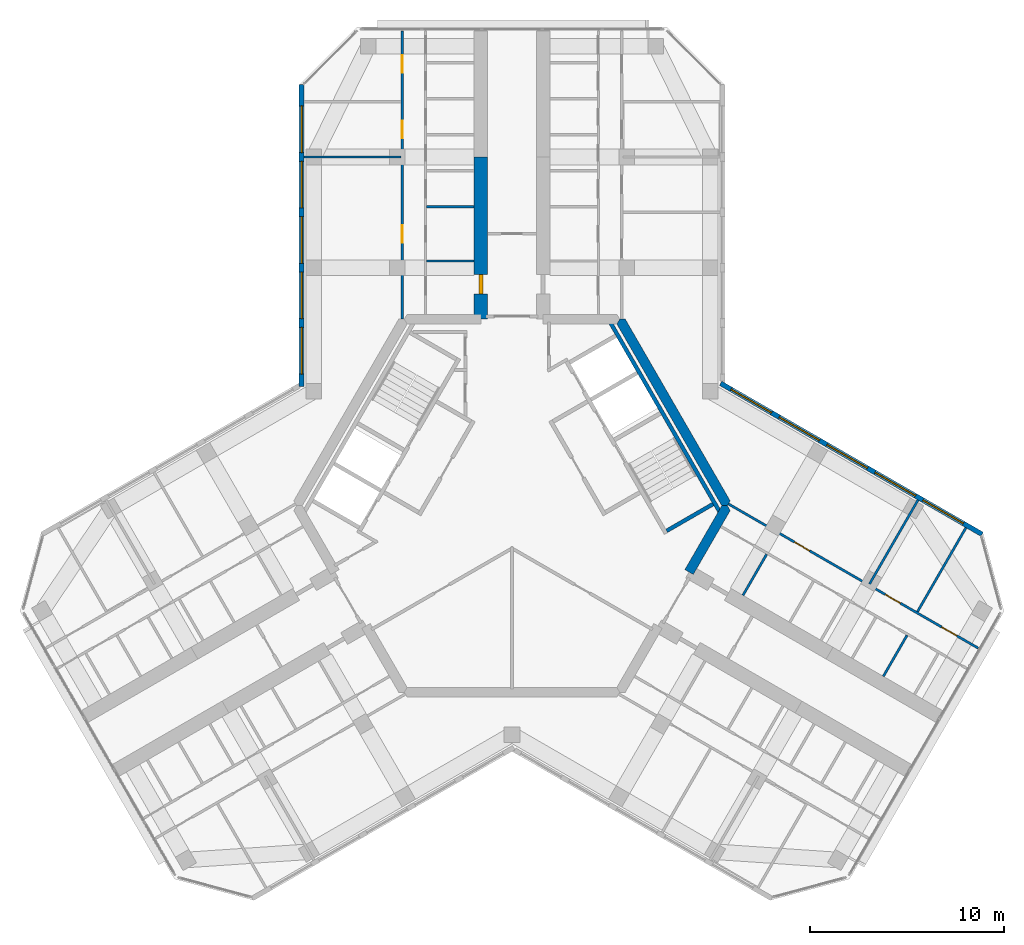
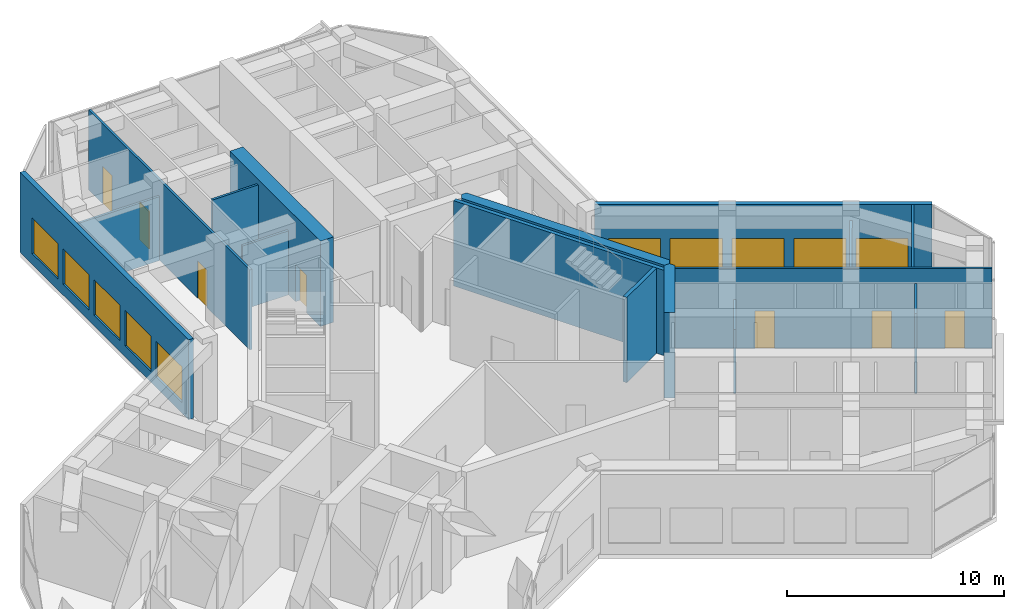
# One storey, part 11 of 14: 16 walls, 10 windows, 7 doors, 17 openings.
"""IFC4 building model written with IfcOpenShell, lengths in metres."""

from ifc_helpers import new_model, si_unit, direction, frame, frame_2d, origin, place, context, subcontext, project, spatial, polyline, rectangle, outline, extrude, material, layer, layer_set, type_object, element, fill, save


model = new_model("IFC4")

# Units and contexts
model_context = context("Model", 3, precision=1e-05, world=origin(), true_north=direction((0.0, 1.0)))
body_context = subcontext(model_context, "Body", "Model", "MODEL_VIEW")
ifc_project = project(units=[si_unit("LENGTHUNIT", "METRE"), si_unit("AREAUNIT", "SQUARE_METRE"), si_unit("VOLUMEUNIT", "CUBIC_METRE"), si_unit("PLANEANGLEUNIT", "RADIAN"), si_unit("MASSUNIT", "GRAM", prefix="KILO")], contexts=[model_context])

# Site, building, storey
site_placement = place(None, origin())
site = spatial("IfcSite", under=ifc_project, at=site_placement, CompositionType="ELEMENT")
building_placement = place(site_placement, origin())
building = spatial("IfcBuilding", under=site, at=building_placement, Name="Kosmar Iwan School Tower", CompositionType="ELEMENT")
storey_placement = place(building_placement, frame((0.0, 0.0, 296.199951171875)))
storey = spatial("IfcBuildingStorey", under=building, at=storey_placement, Name="L75", CompositionType="ELEMENT", Elevation=296.199951171875)

# Walls
ifc_material_1 = material(Name="Concrete C50/60", Category="concrete")
ifc_layer_1 = layer(ifc_material_1, 0.5)
ifc_layer_set_1 = layer_set([ifc_layer_1], Name="Core wall 500")
wall_type_1 = type_object("IfcWallType", Name="Core wall 500", PredefinedType="SHEAR", material=ifc_layer_set_1)
wall_1_placement = place(storey_placement, origin())
element("IfcWall", 1, at=wall_1_placement, inside=storey, type_object=wall_type_1, Name="Core wall F030", PredefinedType="SHEAR", context=body_context, shape_type="SweptSolid", body=[
    extrude(outline(polyline([(10.79638671875, 0.0), (11.085205078125, 0.0), (11.2294921875, 0.25), (5.831298828125, 9.60009765625), (5.54248046875, 9.60009765625), (5.398193359375, 9.35009765625), (10.79638671875, 0.0)])), origin(), (0.0, 0.0, 1.0), 4.800048828125),
])
wall_2_placement = place(storey_placement, origin())
element("IfcWall", 2, at=wall_2_placement, inside=storey, type_object=wall_type_1, Name="Core wall F330b", PredefinedType="SHEAR", context=body_context, shape_type="SweptSolid", body=[
    extrude(outline(polyline([(9.330322265625, -3.539306640625), (11.2294921875, -0.25), (11.085205078125, 0.0), (10.79638671875, 0.0), (8.897216796875, -3.289306640625), (9.330322265625, -3.539306640625)])), origin(), (0.0, 0.0, 1.0), 4.800048828125),
])

# Wall, opening, door
ifc_material_2 = material(Name="Concrete C50/60", Category="concrete")
ifc_layer_2 = layer(ifc_material_2, 0.699951171875)
ifc_layer_set_2 = layer_set([ifc_layer_2], Name="Corridor buttress wall 700")
wall_type_2 = type_object("IfcWallType", Name="Corridor buttress wall 700", PredefinedType="SHEAR", material=ifc_layer_set_2)
wall_3_placement = place(storey_placement, frame((-1.60009765625, 9.60009765625, 0.0), z_axis=(0.0, 0.0, 1.0), x_axis=(0.0, 1.0, 0.0)))
wall_3 = element("IfcWall", 3, at=wall_3_placement, inside=storey, type_object=wall_type_2, Name="Corridor wall AL", PredefinedType="SHEAR", context=body_context, shape_type="SweptSolid", body=[
    extrude(rectangle(XDim=8.349853515625, YDim=0.699951171875, at=frame_2d((4.1748046875, 0.0))), origin(), (0.0, 0.0, 1.0), 4.800048828125),
])
opening_1_placement = place(wall_3_placement, frame((1.300048828125, 0.0, 0.0)))
opening_1 = element("IfcOpeningElement", 4, at=opening_1_placement, cuts=wall_3, Name="Opening D1", PredefinedType="OPENING", context=body_context, shape_type="SweptSolid", body=[
    extrude(rectangle(XDim=1.0, YDim=2.10009765625, at=frame_2d((0.5, 1.050048828125))), frame((0.0, 0.362060546875, 0.0), z_axis=(0.0, -1.0, 0.0), x_axis=(1.0, 0.0, 0.0)), (0.0, 0.0, 1.0), 0.723876953125),
])
ifc_material_3 = material(Name="Timber fire door in steel frame", Category="steel")
door_type_1 = type_object("IfcDoorType", Name="Flat entrance door 1000x2100", OperationType="SINGLE_SWING_LEFT", PredefinedType="DOOR", material=ifc_material_3)
door_1_placement = place(opening_1_placement, origin())
door_1 = element("IfcDoor", 5, at=door_1_placement, inside=storey, type_object=door_type_1, Name="Flat L75-AL1 entrance door", OperationType="SINGLE_SWING_RIGHT", OverallHeight=2.10009765625, OverallWidth=1.0, PredefinedType="DOOR", context=body_context, shape_type="SweptSolid", body=[
    extrude(rectangle(XDim=1.0, YDim=2.10009765625, at=frame_2d((0.5, 1.050048828125))), frame((0.0, 0.10009765625, 0.0), z_axis=(0.0, -1.0, 0.0), x_axis=(1.0, 0.0, 0.0)), (0.0, 0.0, 1.0), 0.199951171875),
])
fill(opening_1, door_1)

# Wall, openings, doors
ifc_material_4 = material(Name="Gypsum board on steel studs", Category="steel")
ifc_layer_3 = layer(ifc_material_4, 0.1201171875)
ifc_layer_set_3 = layer_set([ifc_layer_3], Name="Dwelling partition 120")
wall_type_3 = type_object("IfcWallType", Name="Dwelling partition 120", PredefinedType="PARTITIONING", material=ifc_layer_set_3)
wall_4_placement = place(storey_placement, frame((-5.64990234375, 9.60009765625, 0.0), z_axis=(0.0, 0.0, 1.0), x_axis=(0.0, 1.0, 0.0)))
wall_4 = element("IfcWall", 6, at=wall_4_placement, inside=storey, type_object=wall_type_3, Name="Partition L75-AL1-W2", PredefinedType="PARTITIONING", context=body_context, shape_type="SweptSolid", body=[
    extrude(rectangle(XDim=14.844970703125, YDim=0.1201171875, at=frame_2d((7.42236328125, 0.0))), origin(), (0.0, 0.0, 1.0), 4.5),
])
opening_2_placement = place(wall_4_placement, frame((3.925048828125, 0.0, 0.0)))
opening_2 = element("IfcOpeningElement", 7, at=opening_2_placement, cuts=wall_4, Name="Opening D2", PredefinedType="OPENING", context=body_context, shape_type="SweptSolid", body=[
    extrude(rectangle(XDim=0.89990234375, YDim=2.10009765625, at=frame_2d((0.449951171875, 1.050048828125))), frame((0.0, 0.072021484375, 0.0), z_axis=(0.0, -1.0, 0.0), x_axis=(1.0, 0.0, 0.0)), (0.0, 0.0, 1.0), 0.14404296875),
])
opening_3_placement = place(wall_4_placement, frame((9.324951171875, 0.0, 0.0)))
opening_3 = element("IfcOpeningElement", 8, at=opening_3_placement, cuts=wall_4, Name="Opening D2", PredefinedType="OPENING", context=body_context, shape_type="SweptSolid", body=[
    extrude(rectangle(XDim=0.89990234375, YDim=2.10009765625, at=frame_2d((0.449951171875, 1.050048828125))), frame((0.0, 0.072021484375, 0.0), z_axis=(0.0, -1.0, 0.0), x_axis=(1.0, 0.0, 0.0)), (0.0, 0.0, 1.0), 0.14404296875),
])
opening_4_placement = place(wall_4_placement, frame((12.675048828125, 0.0, 0.0)))
opening_4 = element("IfcOpeningElement", 9, at=opening_4_placement, cuts=wall_4, Name="Opening D2", PredefinedType="OPENING", context=body_context, shape_type="SweptSolid", body=[
    extrude(rectangle(XDim=0.89990234375, YDim=2.10009765625, at=frame_2d((0.449951171875, 1.050048828125))), frame((0.0, 0.072021484375, 0.0), z_axis=(0.0, -1.0, 0.0), x_axis=(1.0, 0.0, 0.0)), (0.0, 0.0, 1.0), 0.14404296875),
])
ifc_material_5 = material(Name="Timber door in timber frame", Category="wood")
door_type_2 = type_object("IfcDoorType", Name="Internal door 900x2100", OperationType="SINGLE_SWING_LEFT", PredefinedType="DOOR", material=ifc_material_5)
door_2_placement = place(opening_2_placement, origin())
door_2 = element("IfcDoor", 10, at=door_2_placement, inside=storey, type_object=door_type_2, Name="Living room door L75-AL1-F1", OperationType="SINGLE_SWING_RIGHT", OverallHeight=2.10009765625, OverallWidth=0.89990234375, PredefinedType="DOOR", context=body_context, shape_type="SweptSolid", body=[
    extrude(rectangle(XDim=0.89990234375, YDim=2.10009765625, at=frame_2d((0.449951171875, 1.050048828125))), frame((0.0, 0.02490234375, 0.0), z_axis=(0.0, -1.0, 0.0), x_axis=(1.0, 0.0, 0.0)), (0.0, 0.0, 1.0), 0.050048828125),
])
fill(opening_2, door_2)
door_3_placement = place(opening_3_placement, origin())
door_3 = element("IfcDoor", 11, at=door_3_placement, inside=storey, type_object=door_type_2, Name="Dining room door L75-AL1-F2", OperationType="SINGLE_SWING_LEFT", OverallHeight=2.10009765625, OverallWidth=0.89990234375, PredefinedType="DOOR", context=body_context, shape_type="SweptSolid", body=[
    extrude(rectangle(XDim=0.89990234375, YDim=2.10009765625, at=frame_2d((0.449951171875, 1.050048828125))), frame((0.0, 0.02490234375, 0.0), z_axis=(0.0, -1.0, 0.0), x_axis=(1.0, 0.0, 0.0)), (0.0, 0.0, 1.0), 0.050048828125),
])
fill(opening_3, door_3)
door_4_placement = place(opening_4_placement, origin())
door_4 = element("IfcDoor", 12, at=door_4_placement, inside=storey, type_object=door_type_2, Name="Bedroom 1 door L75-AL1-F3", OperationType="SINGLE_SWING_RIGHT", OverallHeight=2.10009765625, OverallWidth=0.89990234375, PredefinedType="DOOR", context=body_context, shape_type="SweptSolid", body=[
    extrude(rectangle(XDim=0.89990234375, YDim=2.10009765625, at=frame_2d((0.449951171875, 1.050048828125))), frame((0.0, 0.02490234375, 0.0), z_axis=(0.0, -1.0, 0.0), x_axis=(1.0, 0.0, 0.0)), (0.0, 0.0, 1.0), 0.050048828125),
])
fill(opening_4, door_4)

# Walls
wall_5_placement = place(storey_placement, frame((-5.7099609375, 17.949951171875, 0.0), z_axis=(0.0, 0.0, 1.0), x_axis=(-1.0, 0.0, 0.0)))
element("IfcWall", 13, at=wall_5_placement, inside=storey, type_object=wall_type_3, Name="Partition L75-AL1-X1", PredefinedType="PARTITIONING", context=body_context, shape_type="SweptSolid", body=[
    extrude(rectangle(XDim=4.989990234375, YDim=0.1201171875, at=frame_2d((2.4951171875, 0.0))), origin(), (0.0, 0.0, 1.0), 3.60009765625),
])
wall_6_placement = place(storey_placement, frame((-1.949951171875, 12.60009765625, 0.0), z_axis=(0.0, 0.0, 1.0), x_axis=(-1.0, 0.0, 0.0)))
element("IfcWall", 14, at=wall_6_placement, inside=storey, type_object=wall_type_3, Name="Partition L75-AL1-Y1", PredefinedType="PARTITIONING", context=body_context, shape_type="SweptSolid", body=[
    extrude(rectangle(XDim=2.43994140625, YDim=0.1201171875, at=frame_2d((1.219970703125, 0.0))), origin(), (0.0, 0.0, 1.0), 3.60009765625),
])
wall_7_placement = place(storey_placement, frame((-1.949951171875, 15.380859375, 0.0), z_axis=(0.0, 0.0, 1.0), x_axis=(-1.0, 0.0, 0.0)))
element("IfcWall", 15, at=wall_7_placement, inside=storey, type_object=wall_type_3, Name="Partition L75-AL1-Y2", PredefinedType="PARTITIONING", context=body_context, shape_type="SweptSolid", body=[
    extrude(rectangle(XDim=2.43994140625, YDim=0.1201171875, at=frame_2d((1.219970703125, 0.0))), origin(), (0.0, 0.0, 1.0), 4.5),
])

# Wall, openings, doors
wall_8_placement = place(storey_placement, frame((11.138916015625, 0.093017578125, 0.0), z_axis=(0.0, 0.0, 1.0), x_axis=(0.866030301974, -0.499991515992, 0.0)))
wall_8 = element("IfcWall", 16, at=wall_8_placement, inside=storey, type_object=wall_type_3, Name="Partition L75-CL1-W2", PredefinedType="PARTITIONING", context=body_context, shape_type="SweptSolid", body=[
    extrude(rectangle(XDim=14.844970703125, YDim=0.1201171875, at=frame_2d((7.42236328125, 0.0))), origin(), (0.0, 0.0, 1.0), 4.5),
])
opening_5_placement = place(wall_8_placement, frame((3.925048828125, 0.0, 0.0)))
opening_5 = element("IfcOpeningElement", 17, at=opening_5_placement, cuts=wall_8, Name="Opening D2", PredefinedType="OPENING", context=body_context, shape_type="SweptSolid", body=[
    extrude(rectangle(XDim=0.89990234375, YDim=2.10009765625, at=frame_2d((0.449951171875, 1.050048828125))), frame((0.0, 0.072021484375, 0.0), z_axis=(0.0, -1.0, 0.0), x_axis=(1.0, 0.0, 0.0)), (0.0, 0.0, 1.0), 0.14404296875),
])
opening_6_placement = place(wall_8_placement, frame((9.324951171875, 0.0, 0.0)))
opening_6 = element("IfcOpeningElement", 18, at=opening_6_placement, cuts=wall_8, Name="Opening D2", PredefinedType="OPENING", context=body_context, shape_type="SweptSolid", body=[
    extrude(rectangle(XDim=0.89990234375, YDim=2.10009765625, at=frame_2d((0.449951171875, 1.050048828125))), frame((0.0, 0.072021484375, 0.0), z_axis=(0.0, -1.0, 0.0), x_axis=(1.0, 0.0, 0.0)), (0.0, 0.0, 1.0), 0.14404296875),
])
opening_7_placement = place(wall_8_placement, frame((12.675048828125, 0.0, 0.0)))
opening_7 = element("IfcOpeningElement", 19, at=opening_7_placement, cuts=wall_8, Name="Opening D2", PredefinedType="OPENING", context=body_context, shape_type="SweptSolid", body=[
    extrude(rectangle(XDim=0.89990234375, YDim=2.10009765625, at=frame_2d((0.449951171875, 1.050048828125))), frame((0.0, 0.072021484375, 0.0), z_axis=(0.0, -1.0, 0.0), x_axis=(1.0, 0.0, 0.0)), (0.0, 0.0, 1.0), 0.14404296875),
])
door_5_placement = place(opening_5_placement, origin())
door_5 = element("IfcDoor", 20, at=door_5_placement, inside=storey, type_object=door_type_2, Name="Living room door L75-CL1-F1", OperationType="SINGLE_SWING_LEFT", OverallHeight=2.10009765625, OverallWidth=0.89990234375, PredefinedType="DOOR", context=body_context, shape_type="SweptSolid", body=[
    extrude(rectangle(XDim=0.89990234375, YDim=2.10009765625, at=frame_2d((0.449951171875, 1.050048828125))), frame((0.0, 0.02490234375, 0.0), z_axis=(0.0, -1.0, 0.0), x_axis=(1.0, 0.0, 0.0)), (0.0, 0.0, 1.0), 0.050048828125),
])
fill(opening_5, door_5)
door_6_placement = place(opening_6_placement, origin())
door_6 = element("IfcDoor", 21, at=door_6_placement, inside=storey, type_object=door_type_2, Name="Dining room door L75-CL1-F2", OperationType="SINGLE_SWING_RIGHT", OverallHeight=2.10009765625, OverallWidth=0.89990234375, PredefinedType="DOOR", context=body_context, shape_type="SweptSolid", body=[
    extrude(rectangle(XDim=0.89990234375, YDim=2.10009765625, at=frame_2d((0.449951171875, 1.050048828125))), frame((0.0, 0.02490234375, 0.0), z_axis=(0.0, -1.0, 0.0), x_axis=(1.0, 0.0, 0.0)), (0.0, 0.0, 1.0), 0.050048828125),
])
fill(opening_6, door_6)
door_7_placement = place(opening_7_placement, origin())
door_7 = element("IfcDoor", 22, at=door_7_placement, inside=storey, type_object=door_type_2, Name="Bedroom 1 door L75-CL1-F3", OperationType="SINGLE_SWING_RIGHT", OverallHeight=2.10009765625, OverallWidth=0.89990234375, PredefinedType="DOOR", context=body_context, shape_type="SweptSolid", body=[
    extrude(rectangle(XDim=0.89990234375, YDim=2.10009765625, at=frame_2d((0.449951171875, 1.050048828125))), frame((0.0, 0.02490234375, 0.0), z_axis=(0.0, -1.0, 0.0), x_axis=(1.0, 0.0, 0.0)), (0.0, 0.0, 1.0), 0.050048828125),
])
fill(opening_7, door_7)

# Walls
wall_9_placement = place(storey_placement, frame((18.400146484375, -4.030029296875, 0.0), z_axis=(0.0, 0.0, 1.0), x_axis=(0.500011847778, 0.866018563358, 0.0)))
element("IfcWall", 23, at=wall_9_placement, inside=storey, type_object=wall_type_3, Name="Partition L75-CL1-X1", PredefinedType="PARTITIONING", context=body_context, shape_type="SweptSolid", body=[
    extrude(rectangle(XDim=4.990234375, YDim=0.1201171875, at=frame_2d((2.4951171875, 0.0))), origin(), (0.0, 0.0, 1.0), 3.60009765625),
])
wall_10_placement = place(storey_placement, frame((20.868408203125, -5.455078125, 0.0), z_axis=(0.0, 0.0, 1.0), x_axis=(0.499975153383, 0.86603974851, 0.0)))
element("IfcWall", 24, at=wall_10_placement, inside=storey, type_object=wall_type_3, Name="Partition L75-CL1-X2", PredefinedType="PARTITIONING", context=body_context, shape_type="SweptSolid", body=[
    extrude(rectangle(XDim=4.989990234375, YDim=0.1201171875, at=frame_2d((2.4951171875, 0.0))), origin(), (0.0, 0.0, 1.0), 4.5),
])
wall_11_placement = place(storey_placement, frame((11.886962890625, -4.611328125, 0.0), z_axis=(0.0, 0.0, 1.0), x_axis=(0.499959183527, 0.866048967903, 0.0)))
element("IfcWall", 25, at=wall_11_placement, inside=storey, type_object=wall_type_3, Name="Partition L75-CL1-Y1", PredefinedType="PARTITIONING", context=body_context, shape_type="SweptSolid", body=[
    extrude(rectangle(XDim=2.440185546875, YDim=0.1201171875, at=frame_2d((1.22021484375, 0.0))), origin(), (0.0, 0.0, 1.0), 3.60009765625),
])
wall_12_placement = place(storey_placement, frame((19.111572265625, -8.782470703125, 0.0), z_axis=(0.0, 0.0, 1.0), x_axis=(0.499959183527, 0.866048967903, 0.0)))
element("IfcWall", 26, at=wall_12_placement, inside=storey, type_object=wall_type_3, Name="Partition L75-CL1-Y5", PredefinedType="PARTITIONING", context=body_context, shape_type="SweptSolid", body=[
    extrude(rectangle(XDim=2.440185546875, YDim=0.1201171875, at=frame_2d((1.22021484375, 0.0))), origin(), (0.0, 0.0, 1.0), 4.5),
])

# Wall, openings, windows
ifc_material_6 = material(Name="Black aluminium rainscreen on insulated framing", Category="aluminium")
ifc_layer_4 = layer(ifc_material_6, 0.25)
ifc_layer_set_4 = layer_set([ifc_layer_4], Name="External wall rainscreen 250")
wall_type_4 = type_object("IfcWallType", Name="External wall rainscreen 250", PredefinedType="SOLIDWALL", material=ifc_layer_set_4)
wall_13_placement = place(storey_placement, frame((10.73681640625, 6.30078125, 0.0), z_axis=(0.0, 0.0, 1.0), x_axis=(0.866023091024, -0.500004005797, 0.0)))
wall_13 = element("IfcWall", 27, at=wall_13_placement, inside=storey, type_object=wall_type_4, Name="External wall CL L75", PredefinedType="SOLIDWALL", context=body_context, shape_type="SweptSolid", body=[
    extrude(rectangle(XDim=15.537353515625, YDim=0.25, at=frame_2d((7.7685546875, 0.0))), origin(), (0.0, 0.0, 1.0), 4.5),
])
opening_8_placement = place(wall_13_placement, frame((0.626953125, 0.0, 0.60009765625)))
opening_8 = element("IfcOpeningElement", 28, at=opening_8_placement, cuts=wall_13, Name="Opening W6", PredefinedType="OPENING", context=body_context, shape_type="SweptSolid", body=[
    extrude(rectangle(XDim=2.39990234375, YDim=2.0, at=frame_2d((1.199951171875, 1.0))), frame((0.0, 0.136962890625, 0.0), z_axis=(0.0, -1.0, 0.0), x_axis=(1.0, 0.0, 0.0)), (0.0, 0.0, 1.0), 0.27392578125),
])
opening_9_placement = place(wall_13_placement, frame((3.47705078125, 0.0, 0.60009765625)))
opening_9 = element("IfcOpeningElement", 29, at=opening_9_placement, cuts=wall_13, Name="Opening W6", PredefinedType="OPENING", context=body_context, shape_type="SweptSolid", body=[
    extrude(rectangle(XDim=2.39990234375, YDim=2.0, at=frame_2d((1.199951171875, 1.0))), frame((0.0, 0.136962890625, 0.0), z_axis=(0.0, -1.0, 0.0), x_axis=(1.0, 0.0, 0.0)), (0.0, 0.0, 1.0), 0.27392578125),
])
opening_10_placement = place(wall_13_placement, frame((6.326904296875, 0.0, 0.60009765625)))
opening_10 = element("IfcOpeningElement", 30, at=opening_10_placement, cuts=wall_13, Name="Opening W6", PredefinedType="OPENING", context=body_context, shape_type="SweptSolid", body=[
    extrude(rectangle(XDim=2.39990234375, YDim=2.0, at=frame_2d((1.199951171875, 1.0))), frame((0.0, 0.136962890625, 0.0), z_axis=(0.0, -1.0, 0.0), x_axis=(1.0, 0.0, 0.0)), (0.0, 0.0, 1.0), 0.27392578125),
])
opening_11_placement = place(wall_13_placement, frame((9.177001953125, 0.0, 0.60009765625)))
opening_11 = element("IfcOpeningElement", 31, at=opening_11_placement, cuts=wall_13, Name="Opening W6", PredefinedType="OPENING", context=body_context, shape_type="SweptSolid", body=[
    extrude(rectangle(XDim=2.39990234375, YDim=2.0, at=frame_2d((1.199951171875, 1.0))), frame((0.0, 0.136962890625, 0.0), z_axis=(0.0, -1.0, 0.0), x_axis=(1.0, 0.0, 0.0)), (0.0, 0.0, 1.0), 0.27392578125),
])
opening_12_placement = place(wall_13_placement, frame((12.027099609375, 0.0, 0.60009765625)))
opening_12 = element("IfcOpeningElement", 32, at=opening_12_placement, cuts=wall_13, Name="Opening W6", PredefinedType="OPENING", context=body_context, shape_type="SweptSolid", body=[
    extrude(rectangle(XDim=2.39990234375, YDim=2.0, at=frame_2d((1.199951171875, 1.0))), frame((0.0, 0.136962890625, 0.0), z_axis=(0.0, -1.0, 0.0), x_axis=(1.0, 0.0, 0.0)), (0.0, 0.0, 1.0), 0.27392578125),
])
ifc_material_7 = material(Name="Black aluminium frame with dark triple glazing", Category="aluminium")
window_type = type_object("IfcWindowType", Name="Window 2400x2000", PartitioningType="SINGLE_PANEL", PredefinedType="WINDOW", material=ifc_material_7)
window_1_placement = place(opening_8_placement, origin())
window_1 = element("IfcWindow", 33, at=window_1_placement, inside=storey, type_object=window_type, Name="Window CL L75 -1", OverallHeight=2.0, OverallWidth=2.39990234375, PartitioningType="SINGLE_PANEL", PredefinedType="WINDOW", context=body_context, shape_type="SweptSolid", body=[
    extrude(rectangle(XDim=2.39990234375, YDim=2.0, at=frame_2d((1.199951171875, 1.0))), frame((0.0, 0.030029296875, 0.0), z_axis=(0.0, -1.0, 0.0), x_axis=(1.0, 0.0, 0.0)), (0.0, 0.0, 1.0), 0.06005859375),
])
fill(opening_8, window_1)
window_2_placement = place(opening_9_placement, origin())
window_2 = element("IfcWindow", 34, at=window_2_placement, inside=storey, type_object=window_type, Name="Window CL L75 0", OverallHeight=2.0, OverallWidth=2.39990234375, PartitioningType="SINGLE_PANEL", PredefinedType="WINDOW", context=body_context, shape_type="SweptSolid", body=[
    extrude(rectangle(XDim=2.39990234375, YDim=2.0, at=frame_2d((1.199951171875, 1.0))), frame((0.0, 0.030029296875, 0.0), z_axis=(0.0, -1.0, 0.0), x_axis=(1.0, 0.0, 0.0)), (0.0, 0.0, 1.0), 0.06005859375),
])
fill(opening_9, window_2)
window_3_placement = place(opening_10_placement, origin())
window_3 = element("IfcWindow", 35, at=window_3_placement, inside=storey, type_object=window_type, Name="Window CL L75 1", OverallHeight=2.0, OverallWidth=2.39990234375, PartitioningType="SINGLE_PANEL", PredefinedType="WINDOW", context=body_context, shape_type="SweptSolid", body=[
    extrude(rectangle(XDim=2.39990234375, YDim=2.0, at=frame_2d((1.199951171875, 1.0))), frame((0.0, 0.030029296875, 0.0), z_axis=(0.0, -1.0, 0.0), x_axis=(1.0, 0.0, 0.0)), (0.0, 0.0, 1.0), 0.06005859375),
])
fill(opening_10, window_3)
window_4_placement = place(opening_11_placement, origin())
window_4 = element("IfcWindow", 36, at=window_4_placement, inside=storey, type_object=window_type, Name="Window CL L75 2", OverallHeight=2.0, OverallWidth=2.39990234375, PartitioningType="SINGLE_PANEL", PredefinedType="WINDOW", context=body_context, shape_type="SweptSolid", body=[
    extrude(rectangle(XDim=2.39990234375, YDim=2.0, at=frame_2d((1.199951171875, 1.0))), frame((0.0, 0.030029296875, 0.0), z_axis=(0.0, -1.0, 0.0), x_axis=(1.0, 0.0, 0.0)), (0.0, 0.0, 1.0), 0.06005859375),
])
fill(opening_11, window_4)
window_5_placement = place(opening_12_placement, origin())
window_5 = element("IfcWindow", 37, at=window_5_placement, inside=storey, type_object=window_type, Name="Window CL L75 3", OverallHeight=2.0, OverallWidth=2.39990234375, PartitioningType="SINGLE_PANEL", PredefinedType="WINDOW", context=body_context, shape_type="SweptSolid", body=[
    extrude(rectangle(XDim=2.39990234375, YDim=2.0, at=frame_2d((1.199951171875, 1.0))), frame((0.0, 0.030029296875, 0.0), z_axis=(0.0, -1.0, 0.0), x_axis=(1.0, 0.0, 0.0)), (0.0, 0.0, 1.0), 0.06005859375),
])
fill(opening_12, window_5)

wall_14_placement = place(storey_placement, frame((-10.824951171875, 6.14794921875, 0.0), z_axis=(0.0, 0.0, 1.0), x_axis=(0.0, 1.0, 0.0)))
wall_14 = element("IfcWall", 38, at=wall_14_placement, inside=storey, type_object=wall_type_4, Name="External wall AL L75", PredefinedType="SOLIDWALL", context=body_context, shape_type="SweptSolid", body=[
    extrude(rectangle(XDim=15.537353515625, YDim=0.25, at=frame_2d((7.7685546875, 0.0))), origin(), (0.0, 0.0, 1.0), 4.5),
])
opening_13_placement = place(wall_14_placement, frame((0.626953125, 0.0, 0.60009765625)))
opening_13 = element("IfcOpeningElement", 39, at=opening_13_placement, cuts=wall_14, Name="Opening W6", PredefinedType="OPENING", context=body_context, shape_type="SweptSolid", body=[
    extrude(rectangle(XDim=2.39990234375, YDim=2.0, at=frame_2d((1.199951171875, 1.0))), frame((0.0, 0.136962890625, 0.0), z_axis=(0.0, -1.0, 0.0), x_axis=(1.0, 0.0, 0.0)), (0.0, 0.0, 1.0), 0.27392578125),
])
opening_14_placement = place(wall_14_placement, frame((3.47705078125, 0.0, 0.60009765625)))
opening_14 = element("IfcOpeningElement", 40, at=opening_14_placement, cuts=wall_14, Name="Opening W6", PredefinedType="OPENING", context=body_context, shape_type="SweptSolid", body=[
    extrude(rectangle(XDim=2.39990234375, YDim=2.0, at=frame_2d((1.199951171875, 1.0))), frame((0.0, 0.136962890625, 0.0), z_axis=(0.0, -1.0, 0.0), x_axis=(1.0, 0.0, 0.0)), (0.0, 0.0, 1.0), 0.27392578125),
])
opening_15_placement = place(wall_14_placement, frame((6.326904296875, 0.0, 0.60009765625)))
opening_15 = element("IfcOpeningElement", 41, at=opening_15_placement, cuts=wall_14, Name="Opening W6", PredefinedType="OPENING", context=body_context, shape_type="SweptSolid", body=[
    extrude(rectangle(XDim=2.39990234375, YDim=2.0, at=frame_2d((1.199951171875, 1.0))), frame((0.0, 0.136962890625, 0.0), z_axis=(0.0, -1.0, 0.0), x_axis=(1.0, 0.0, 0.0)), (0.0, 0.0, 1.0), 0.27392578125),
])
opening_16_placement = place(wall_14_placement, frame((9.177001953125, 0.0, 0.60009765625)))
opening_16 = element("IfcOpeningElement", 42, at=opening_16_placement, cuts=wall_14, Name="Opening W6", PredefinedType="OPENING", context=body_context, shape_type="SweptSolid", body=[
    extrude(rectangle(XDim=2.39990234375, YDim=2.0, at=frame_2d((1.199951171875, 1.0))), frame((0.0, 0.136962890625, 0.0), z_axis=(0.0, -1.0, 0.0), x_axis=(1.0, 0.0, 0.0)), (0.0, 0.0, 1.0), 0.27392578125),
])
opening_17_placement = place(wall_14_placement, frame((12.027099609375, 0.0, 0.60009765625)))
opening_17 = element("IfcOpeningElement", 43, at=opening_17_placement, cuts=wall_14, Name="Opening W6", PredefinedType="OPENING", context=body_context, shape_type="SweptSolid", body=[
    extrude(rectangle(XDim=2.39990234375, YDim=2.0, at=frame_2d((1.199951171875, 1.0))), frame((0.0, 0.136962890625, 0.0), z_axis=(0.0, -1.0, 0.0), x_axis=(1.0, 0.0, 0.0)), (0.0, 0.0, 1.0), 0.27392578125),
])
window_6_placement = place(opening_13_placement, origin())
window_6 = element("IfcWindow", 44, at=window_6_placement, inside=storey, type_object=window_type, Name="Window AL L75 -1", OverallHeight=2.0, OverallWidth=2.39990234375, PartitioningType="SINGLE_PANEL", PredefinedType="WINDOW", context=body_context, shape_type="SweptSolid", body=[
    extrude(rectangle(XDim=2.39990234375, YDim=2.0, at=frame_2d((1.199951171875, 1.0))), frame((0.0, 0.030029296875, 0.0), z_axis=(0.0, -1.0, 0.0), x_axis=(1.0, 0.0, 0.0)), (0.0, 0.0, 1.0), 0.06005859375),
])
fill(opening_13, window_6)
window_7_placement = place(opening_14_placement, origin())
window_7 = element("IfcWindow", 45, at=window_7_placement, inside=storey, type_object=window_type, Name="Window AL L75 0", OverallHeight=2.0, OverallWidth=2.39990234375, PartitioningType="SINGLE_PANEL", PredefinedType="WINDOW", context=body_context, shape_type="SweptSolid", body=[
    extrude(rectangle(XDim=2.39990234375, YDim=2.0, at=frame_2d((1.199951171875, 1.0))), frame((0.0, 0.030029296875, 0.0), z_axis=(0.0, -1.0, 0.0), x_axis=(1.0, 0.0, 0.0)), (0.0, 0.0, 1.0), 0.06005859375),
])
fill(opening_14, window_7)
window_8_placement = place(opening_15_placement, origin())
window_8 = element("IfcWindow", 46, at=window_8_placement, inside=storey, type_object=window_type, Name="Window AL L75 1", OverallHeight=2.0, OverallWidth=2.39990234375, PartitioningType="SINGLE_PANEL", PredefinedType="WINDOW", context=body_context, shape_type="SweptSolid", body=[
    extrude(rectangle(XDim=2.39990234375, YDim=2.0, at=frame_2d((1.199951171875, 1.0))), frame((0.0, 0.030029296875, 0.0), z_axis=(0.0, -1.0, 0.0), x_axis=(1.0, 0.0, 0.0)), (0.0, 0.0, 1.0), 0.06005859375),
])
fill(opening_15, window_8)
window_9_placement = place(opening_16_placement, origin())
window_9 = element("IfcWindow", 47, at=window_9_placement, inside=storey, type_object=window_type, Name="Window AL L75 2", OverallHeight=2.0, OverallWidth=2.39990234375, PartitioningType="SINGLE_PANEL", PredefinedType="WINDOW", context=body_context, shape_type="SweptSolid", body=[
    extrude(rectangle(XDim=2.39990234375, YDim=2.0, at=frame_2d((1.199951171875, 1.0))), frame((0.0, 0.030029296875, 0.0), z_axis=(0.0, -1.0, 0.0), x_axis=(1.0, 0.0, 0.0)), (0.0, 0.0, 1.0), 0.06005859375),
])
fill(opening_16, window_9)
window_10_placement = place(opening_17_placement, origin())
window_10 = element("IfcWindow", 48, at=window_10_placement, inside=storey, type_object=window_type, Name="Window AL L75 3", OverallHeight=2.0, OverallWidth=2.39990234375, PartitioningType="SINGLE_PANEL", PredefinedType="WINDOW", context=body_context, shape_type="SweptSolid", body=[
    extrude(rectangle(XDim=2.39990234375, YDim=2.0, at=frame_2d((1.199951171875, 1.0))), frame((0.0, 0.030029296875, 0.0), z_axis=(0.0, -1.0, 0.0), x_axis=(1.0, 0.0, 0.0)), (0.0, 0.0, 1.0), 0.06005859375),
])
fill(opening_17, window_10)

# Walls
ifc_material_8 = material(Name="Concrete C50/60", Category="concrete")
ifc_layer_5 = layer(ifc_material_8, 0.199951171875)
ifc_layer_set_5 = layer_set([ifc_layer_5], Name="Lift shaft wall 200")
wall_type_5 = type_object("IfcWallType", Name="Lift shaft wall 200", PredefinedType="SHEAR", material=ifc_layer_set_5)
wall_15_placement = place(storey_placement, frame((10.680908203125, -0.300048828125, 0.0), z_axis=(0.0, 0.0, 1.0), x_axis=(-0.500004846395, 0.866022605699, 0.0)))
element("IfcWall", 49, at=wall_15_placement, inside=storey, type_object=wall_type_5, Name="Lift and stair back wall AC", PredefinedType="SHEAR", context=body_context, shape_type="SweptSolid", body=[
    extrude(rectangle(XDim=11.20068359375, YDim=0.199951171875, at=frame_2d((5.600341796875, 0.0))), origin(), (0.0, 0.0, 1.0), 4.800048828125),
])
ifc_material_9 = material(Name="Concrete C50/60", Category="concrete")
ifc_layer_6 = layer(ifc_material_9, 0.199951171875)
ifc_layer_set_6 = layer_set([ifc_layer_6], Name="Stair enclosure wall 200")
wall_type_6 = type_object("IfcWallType", Name="Stair enclosure wall 200", PredefinedType="SHEAR", material=ifc_layer_set_6)
wall_16_placement = place(storey_placement, frame((7.962646484375, -1.291748046875, 0.0), z_axis=(0.0, 0.0, 1.0), x_axis=(0.866027397988, 0.499996545922, 0.0)))
element("IfcWall", 50, at=wall_16_placement, inside=storey, type_object=wall_type_6, Name="Stair ST1 wall", PredefinedType="SHEAR", context=body_context, shape_type="SweptSolid", body=[
    extrude(rectangle(XDim=2.75, YDim=0.199951171875, at=frame_2d((1.375, 0.0))), origin(), (0.0, 0.0, 1.0), 4.800048828125),
])

save(model, "model.ifc")
